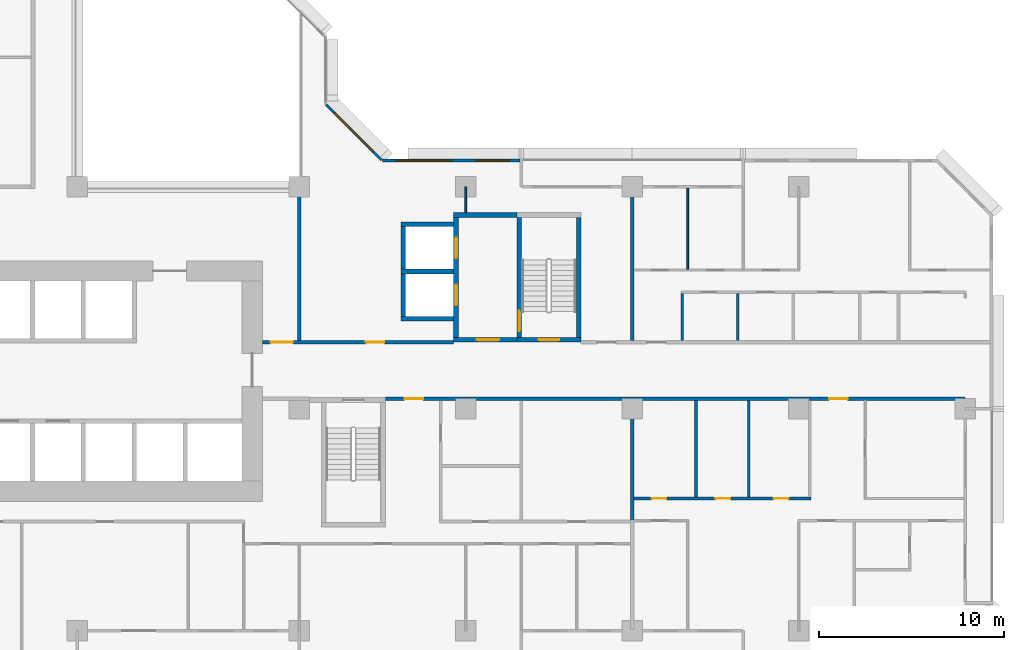
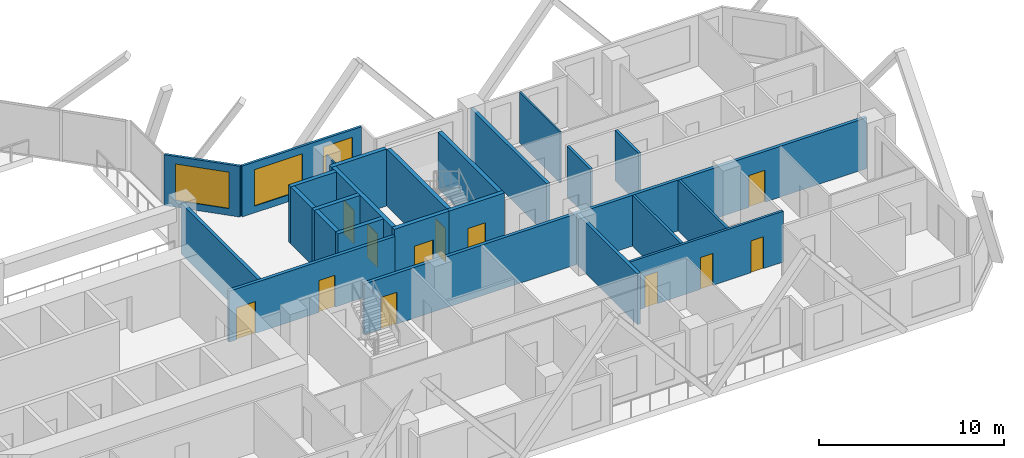
# One storey, part 7 of 15: 25 walls, 12 doors, 3 windows, 15 openings.
"""IFC4 building model written with IfcOpenShell, lengths in metres."""

from ifc_helpers import new_model, si_unit, direction, frame, frame_2d, origin, place, context, subcontext, project, spatial, rectangle, extrude, material, layer, layer_set, type_object, element, fill, save


model = new_model("IFC4")

# Units and contexts
model_context = context("Model", 3, precision=1e-05, world=origin(), true_north=direction((0.0, 1.0)))
body_context = subcontext(model_context, "Body", "Model", "MODEL_VIEW")
ifc_project = project(units=[si_unit("LENGTHUNIT", "METRE"), si_unit("AREAUNIT", "SQUARE_METRE"), si_unit("VOLUMEUNIT", "CUBIC_METRE"), si_unit("PLANEANGLEUNIT", "RADIAN"), si_unit("MASSUNIT", "GRAM", prefix="KILO")], contexts=[model_context])

# Site, building, storey
site_placement = place(None, origin())
site = spatial("IfcSite", under=ifc_project, at=site_placement, CompositionType="ELEMENT")
building_placement = place(site_placement, origin())
building = spatial("IfcBuilding", under=site, at=building_placement, Name="Chenar Terraces", CompositionType="ELEMENT")
storey_placement = place(building_placement, frame((0.0, 0.0, 48.89990234375)))
storey = spatial("IfcBuildingStorey", under=building, at=storey_placement, Name="L09", CompositionType="ELEMENT", Elevation=48.89990234375)

# Wall, opening, door
ifc_material_1 = material(Name="Concrete C70/85", Category="concrete")
ifc_layer_1 = layer(ifc_material_1, 0.25)
ifc_layer_set_1 = layer_set([ifc_layer_1], Name="Concrete C70/85")
wall_type_1 = type_object("IfcWallType", Name="Core wall 250 Concrete C70/85", PredefinedType="SHEAR", material=ifc_layer_set_1)
wall_1_placement = place(storey_placement, frame((47.77490234375, 15.72509765625, 0.0), z_axis=(0.0, 0.0, 1.0), x_axis=(1.0, 0.0, 0.0)))
wall_1 = element("IfcWall", 1, at=wall_1_placement, inside=storey, type_object=wall_type_1, Name="Core wall ST3_S L09", PredefinedType="SHEAR", context=body_context, shape_type="SweptSolid", body=[
    extrude(rectangle(XDim=3.4501953125, YDim=0.25, at=frame_2d((1.72509765625, 0.0))), origin(), (0.0, 0.0, 1.0), 3.75),
])
opening_1_placement = place(wall_1_placement, frame((1.175048828125, 0.0, 0.0)))
opening_1 = element("IfcOpeningElement", 2, at=opening_1_placement, cuts=wall_1, Name="Opening DL09-C8", PredefinedType="OPENING", context=body_context, shape_type="SweptSolid", body=[
    extrude(rectangle(XDim=1.10009765625, YDim=2.199951171875, at=frame_2d((0.550048828125, 1.10009765625))), frame((0.0, 0.135009765625, 0.0), z_axis=(0.0, -1.0, 0.0), x_axis=(1.0, 0.0, 0.0)), (0.0, 0.0, 1.0), 0.27001953125),
])
ifc_material_2 = material(Name="Steel-framed fire-resisting door leaf", Category="steel")
door_type_1 = type_object("IfcDoorType", Name="Stair fire door FD60 1100 x 2200", OperationType="SINGLE_SWING_LEFT", PredefinedType="DOOR", material=ifc_material_2)
door_1_placement = place(opening_1_placement, frame((1.10009765625, 0.0, 0.0), z_axis=(0.0, 0.0, 1.0), x_axis=(-1.0, 0.0, 0.0)))
door_1 = element("IfcDoor", 3, at=door_1_placement, inside=storey, type_object=door_type_1, Name="Stair door DL09-C8", OperationType="SINGLE_SWING_LEFT", OverallHeight=2.199951171875, OverallWidth=1.10009765625, PredefinedType="DOOR", context=body_context, shape_type="SweptSolid", body=[
    extrude(rectangle(XDim=1.10009765625, YDim=2.199951171875, at=frame_2d((0.550048828125, 1.10009765625))), frame((0.0, 0.02490234375, 0.0), z_axis=(0.0, -1.0, 0.0), x_axis=(1.0, 0.0, 0.0)), (0.0, 0.0, 1.0), 0.050048828125),
])
fill(opening_1, door_1)

wall_2_placement = place(storey_placement, frame((47.89990234375, 15.85009765625, 0.0), z_axis=(0.0, 0.0, 1.0), x_axis=(0.0, 1.0, 0.0)))
wall_2 = element("IfcWall", 4, at=wall_2_placement, inside=storey, type_object=wall_type_1, Name="Core wall ST3_W L09", PredefinedType="SHEAR", context=body_context, shape_type="SweptSolid", body=[
    extrude(rectangle(XDim=6.5, YDim=0.25, at=frame_2d((3.25, 0.0))), origin(), (0.0, 0.0, 1.0), 3.75),
])
opening_2_placement = place(wall_2_placement, frame((0.35009765625, 0.0, 0.0)))
opening_2 = element("IfcOpeningElement", 5, at=opening_2_placement, cuts=wall_2, Name="Opening DL09-C11", PredefinedType="OPENING", context=body_context, shape_type="SweptSolid", body=[
    extrude(rectangle(XDim=1.10009765625, YDim=2.199951171875, at=frame_2d((0.550048828125, 1.10009765625))), frame((0.0, 0.135009765625, 0.0), z_axis=(0.0, -1.0, 0.0), x_axis=(1.0, 0.0, 0.0)), (0.0, 0.0, 1.0), 0.27001953125),
])
door_2_placement = place(opening_2_placement, frame((1.10009765625, 0.0, 0.0), z_axis=(0.0, 0.0, 1.0), x_axis=(-1.0, 0.0, 0.0)))
door_2 = element("IfcDoor", 6, at=door_2_placement, inside=storey, type_object=door_type_1, Name="Stair door DL09-C11", OperationType="SINGLE_SWING_RIGHT", OverallHeight=2.199951171875, OverallWidth=1.10009765625, PredefinedType="DOOR", context=body_context, shape_type="SweptSolid", body=[
    extrude(rectangle(XDim=1.10009765625, YDim=2.199951171875, at=frame_2d((0.550048828125, 1.10009765625))), frame((0.0, 0.02490234375, 0.0), z_axis=(0.0, -1.0, 0.0), x_axis=(1.0, 0.0, 0.0)), (0.0, 0.0, 1.0), 0.050048828125),
])
fill(opening_2, door_2)

# Wall
wall_3_placement = place(storey_placement, frame((51.10009765625, 15.85009765625, 0.0), z_axis=(0.0, 0.0, 1.0), x_axis=(0.0, 1.0, 0.0)))
element("IfcWall", 7, at=wall_3_placement, inside=storey, type_object=wall_type_1, Name="Core wall ST3_E L09", PredefinedType="SHEAR", context=body_context, shape_type="SweptSolid", body=[
    extrude(rectangle(XDim=6.5, YDim=0.25, at=frame_2d((3.25, 0.0))), origin(), (0.0, 0.0, 1.0), 3.75),
])

# Wall, opening, door
wall_4_placement = place(storey_placement, frame((44.35009765625, 15.72509765625, 0.0), z_axis=(0.0, 0.0, 1.0), x_axis=(1.0, 0.0, 0.0)))
wall_4 = element("IfcWall", 8, at=wall_4_placement, inside=storey, type_object=wall_type_1, Name="Core wall F3_LS L09", PredefinedType="SHEAR", context=body_context, shape_type="SweptSolid", body=[
    extrude(rectangle(XDim=3.4248046875, YDim=0.25, at=frame_2d((1.71240234375, 0.0))), origin(), (0.0, 0.0, 1.0), 3.75),
])
opening_3_placement = place(wall_4_placement, frame((1.25, 0.0, 0.0)))
opening_3 = element("IfcOpeningElement", 9, at=opening_3_placement, cuts=wall_4, Name="Opening DL09-C10", PredefinedType="OPENING", context=body_context, shape_type="SweptSolid", body=[
    extrude(rectangle(XDim=1.199951171875, YDim=2.199951171875, at=frame_2d((0.60009765625, 1.10009765625))), frame((0.0, 0.135009765625, 0.0), z_axis=(0.0, -1.0, 0.0), x_axis=(1.0, 0.0, 0.0)), (0.0, 0.0, 1.0), 0.27001953125),
])
ifc_material_3 = material(Name="Steel-framed fire-resisting door leaf", Category="steel")
door_type_2 = type_object("IfcDoorType", Name="Lobby fire door FD60 1200 x 2200", OperationType="SINGLE_SWING_LEFT", PredefinedType="DOOR", material=ifc_material_3)
door_3_placement = place(opening_3_placement, origin())
door_3 = element("IfcDoor", 10, at=door_3_placement, inside=storey, type_object=door_type_2, Name="Core door DL09-C10", OperationType="SINGLE_SWING_RIGHT", OverallHeight=2.199951171875, OverallWidth=1.199951171875, PredefinedType="DOOR", context=body_context, shape_type="SweptSolid", body=[
    extrude(rectangle(XDim=1.199951171875, YDim=2.199951171875, at=frame_2d((0.60009765625, 1.10009765625))), frame((0.0, 0.02490234375, 0.0), z_axis=(0.0, -1.0, 0.0), x_axis=(1.0, 0.0, 0.0)), (0.0, 0.0, 1.0), 0.050048828125),
])
fill(opening_3, door_3)

# Wall
wall_5_placement = place(storey_placement, frame((44.35009765625, 22.47509765625, 0.0), z_axis=(0.0, 0.0, 1.0), x_axis=(1.0, 0.0, 0.0)))
element("IfcWall", 11, at=wall_5_placement, inside=storey, type_object=wall_type_1, Name="Core wall F3_LN L09", PredefinedType="SHEAR", context=body_context, shape_type="SweptSolid", body=[
    extrude(rectangle(XDim=3.4248046875, YDim=0.25, at=frame_2d((1.71240234375, 0.0))), origin(), (0.0, 0.0, 1.0), 3.75),
])

# Wall, openings, doors
wall_6_placement = place(storey_placement, frame((44.47509765625, 15.85009765625, 0.0), z_axis=(0.0, 0.0, 1.0), x_axis=(0.0, 1.0, 0.0)))
wall_6 = element("IfcWall", 12, at=wall_6_placement, inside=storey, type_object=wall_type_1, Name="Core wall F3_LW L09", PredefinedType="SHEAR", context=body_context, shape_type="SweptSolid", body=[
    extrude(rectangle(XDim=6.5, YDim=0.25, at=frame_2d((3.25, 0.0))), origin(), (0.0, 0.0, 1.0), 3.75),
])
opening_4_placement = place(wall_6_placement, frame((1.75, 0.0, 0.0)))
opening_4 = element("IfcOpeningElement", 13, at=opening_4_placement, cuts=wall_6, Name="Opening DL09-LD8", PredefinedType="OPENING", context=body_context, shape_type="SweptSolid", body=[
    extrude(rectangle(XDim=1.10009765625, YDim=2.199951171875, at=frame_2d((0.550048828125, 1.10009765625))), frame((0.0, 0.135009765625, 0.0), z_axis=(0.0, -1.0, 0.0), x_axis=(1.0, 0.0, 0.0)), (0.0, 0.0, 1.0), 0.27001953125),
])
opening_5_placement = place(wall_6_placement, frame((4.300048828125, 0.0, 0.0)))
opening_5 = element("IfcOpeningElement", 14, at=opening_5_placement, cuts=wall_6, Name="Opening DL09-LD9", PredefinedType="OPENING", context=body_context, shape_type="SweptSolid", body=[
    extrude(rectangle(XDim=1.10009765625, YDim=2.199951171875, at=frame_2d((0.550048828125, 1.10009765625))), frame((0.0, 0.135009765625, 0.0), z_axis=(0.0, -1.0, 0.0), x_axis=(1.0, 0.0, 0.0)), (0.0, 0.0, 1.0), 0.27001953125),
])
ifc_material_4 = material(Name="Stainless steel", Category="steel")
door_type_3 = type_object("IfcDoorType", Name="Lift landing door 1100 x 2200 sliding", OperationType="DOUBLE_DOOR_SLIDING", PredefinedType="DOOR", material=ifc_material_4)
door_4_placement = place(opening_4_placement, origin())
door_4 = element("IfcDoor", 15, at=door_4_placement, inside=storey, type_object=door_type_3, Name="Landing door F3", OperationType="DOUBLE_DOOR_SLIDING", OverallHeight=2.199951171875, OverallWidth=1.10009765625, PredefinedType="DOOR", context=body_context, shape_type="SweptSolid", body=[
    extrude(rectangle(XDim=1.10009765625, YDim=2.199951171875, at=frame_2d((0.550048828125, 1.10009765625))), frame((0.0, 0.02490234375, 0.0), z_axis=(0.0, -1.0, 0.0), x_axis=(1.0, 0.0, 0.0)), (0.0, 0.0, 1.0), 0.050048828125),
])
fill(opening_4, door_4)
door_5_placement = place(opening_5_placement, origin())
door_5 = element("IfcDoor", 16, at=door_5_placement, inside=storey, type_object=door_type_3, Name="Landing door F4", OperationType="DOUBLE_DOOR_SLIDING", OverallHeight=2.199951171875, OverallWidth=1.10009765625, PredefinedType="DOOR", context=body_context, shape_type="SweptSolid", body=[
    extrude(rectangle(XDim=1.10009765625, YDim=2.199951171875, at=frame_2d((0.550048828125, 1.10009765625))), frame((0.0, 0.02490234375, 0.0), z_axis=(0.0, -1.0, 0.0), x_axis=(1.0, 0.0, 0.0)), (0.0, 0.0, 1.0), 0.050048828125),
])
fill(opening_5, door_5)

# Walls
for number, where, z_axis, x_axis, name in (
    (17, (41.5, 16.875, 0.0), (0.0, 0.0, 1.0), (1.0, 0.0, 0.0), "Core wall F3_SS L09"),
    (18, (41.5, 19.425048828125, 0.0), (0.0, 0.0, 1.0), (1.0, 0.0, 0.0), "Core wall F3_SM L09"),
    (19, (41.5, 21.97509765625, 0.0), (0.0, 0.0, 1.0), (1.0, 0.0, 0.0), "Core wall F4_SN L09"),
):
    element("IfcWall", number, at=place(storey_placement, frame(where, z_axis=z_axis, x_axis=x_axis)), inside=storey, type_object=wall_type_1, Name=name, PredefinedType="SHEAR", context=body_context, shape_type="SweptSolid", body=[
        extrude(rectangle(XDim=2.85009765625, YDim=0.25, at=frame_2d((1.425048828125, 0.0))), origin(), (0.0, 0.0, 1.0), 3.75),
    ])
for number, where, z_axis, x_axis, name in (
    (20, (41.625, 17.0, 0.0), (0.0, 0.0, 1.0), (0.0, 1.0, 0.0), "Core wall F3_SW L09"),
    (21, (41.625, 19.550048828125, 0.0), (0.0, 0.0, 1.0), (0.0, 1.0, 0.0), "Core wall F4_SW L09"),
):
    element("IfcWall", number, at=place(storey_placement, frame(where, z_axis=z_axis, x_axis=x_axis)), inside=storey, type_object=wall_type_1, Name=name, PredefinedType="SHEAR", context=body_context, shape_type="SweptSolid", body=[
        extrude(rectangle(XDim=2.300048828125, YDim=0.25, at=frame_2d((1.14990234375, 0.0))), origin(), (0.0, 0.0, 1.0), 3.75),
    ])

# Wall, openings, doors
ifc_material_5 = material(Name="Gypsum board on steel studs with fire boards", Category="steel")
ifc_layer_2 = layer(ifc_material_5, 0.199951171875)
ifc_layer_set_2 = layer_set([ifc_layer_2], Name="Gypsum board on steel studs with fire boards")
wall_type_2 = type_object("IfcWallType", Name="Corridor wall 200", PredefinedType="PARTITIONING", material=ifc_layer_set_2)
wall_7_placement = place(storey_placement, frame((34.0, 15.60009765625, 0.0), z_axis=(0.0, 0.0, 1.0), x_axis=(1.0, 0.0, 0.0)))
wall_7 = element("IfcWall", 22, at=wall_7_placement, inside=storey, type_object=wall_type_2, Name="Partition L09-069", PredefinedType="PARTITIONING", context=body_context, shape_type="SweptSolid", body=[
    extrude(rectangle(XDim=10.35009765625, YDim=0.199951171875, at=frame_2d((5.175048828125, 0.0))), origin(), (0.0, 0.0, 1.0), 3.35009765625),
])
opening_6_placement = place(wall_7_placement, frame((5.60009765625, 0.0, 0.0)))
opening_6 = element("IfcOpeningElement", 23, at=opening_6_placement, cuts=wall_7, Name="Opening DL09-3", PredefinedType="OPENING", context=body_context, shape_type="SweptSolid", body=[
    extrude(rectangle(XDim=1.0, YDim=2.10009765625, at=frame_2d((0.5, 1.050048828125))), frame((0.0, 0.10986328125, 0.0), z_axis=(0.0, -1.0, 0.0), x_axis=(1.0, 0.0, 0.0)), (0.0, 0.0, 1.0), 0.219970703125),
])
opening_7_placement = place(wall_7_placement, frame((0.449951171875, 0.0, 0.0)))
opening_7 = element("IfcOpeningElement", 24, at=opening_7_placement, cuts=wall_7, Name="Opening DL09-46", PredefinedType="OPENING", context=body_context, shape_type="SweptSolid", body=[
    extrude(rectangle(XDim=1.199951171875, YDim=2.10009765625, at=frame_2d((0.60009765625, 1.050048828125))), frame((0.0, 0.10986328125, 0.0), z_axis=(0.0, -1.0, 0.0), x_axis=(1.0, 0.0, 0.0)), (0.0, 0.0, 1.0), 0.219970703125),
])
ifc_material_6 = material(Name="Steel-framed fire-resisting door leaf", Category="steel")
door_type_4 = type_object("IfcDoorType", Name="Fire door FD60 1000 x 2100", OperationType="SINGLE_SWING_LEFT", PredefinedType="DOOR", material=ifc_material_6)
door_6_placement = place(opening_6_placement, origin())
door_6 = element("IfcDoor", 25, at=door_6_placement, inside=storey, type_object=door_type_4, Name="Door DL09-3", OperationType="SINGLE_SWING_RIGHT", OverallHeight=2.10009765625, OverallWidth=1.0, PredefinedType="DOOR", context=body_context, shape_type="SweptSolid", body=[
    extrude(rectangle(XDim=1.0, YDim=2.10009765625, at=frame_2d((0.5, 1.050048828125))), frame((0.0, 0.02490234375, 0.0), z_axis=(0.0, -1.0, 0.0), x_axis=(1.0, 0.0, 0.0)), (0.0, 0.0, 1.0), 0.050048828125),
])
fill(opening_6, door_6)
ifc_material_7 = material(Name="Steel-framed fire-resisting door leaf", Category="steel")
door_type_5 = type_object("IfcDoorType", Name="Fire door FD60 1200 x 2100", OperationType="SINGLE_SWING_LEFT", PredefinedType="DOOR", material=ifc_material_7)
door_7_placement = place(opening_7_placement, origin())
door_7 = element("IfcDoor", 26, at=door_7_placement, inside=storey, type_object=door_type_5, Name="Door DL09-46", OperationType="SINGLE_SWING_RIGHT", OverallHeight=2.10009765625, OverallWidth=1.199951171875, PredefinedType="DOOR", context=body_context, shape_type="SweptSolid", body=[
    extrude(rectangle(XDim=1.199951171875, YDim=2.10009765625, at=frame_2d((0.60009765625, 1.050048828125))), frame((0.0, 0.02490234375, 0.0), z_axis=(0.0, -1.0, 0.0), x_axis=(1.0, 0.0, 0.0)), (0.0, 0.0, 1.0), 0.050048828125),
])
fill(opening_7, door_7)

# Wall
wall_8_placement = place(storey_placement, frame((36.0, 15.699951171875, 0.0), z_axis=(0.0, 0.0, 1.0), x_axis=(0.0, 1.0, 0.0)))
element("IfcWall", 27, at=wall_8_placement, inside=storey, type_object=wall_type_2, Name="Partition L09-071", PredefinedType="PARTITIONING", context=body_context, shape_type="SweptSolid", body=[
    extrude(rectangle(XDim=8.300048828125, YDim=0.199951171875, at=frame_2d((4.14990234375, 0.0))), origin(), (0.0, 0.0, 1.0), 3.35009765625),
])

# Wall, openings, doors
wall_9_placement = place(storey_placement, frame((40.64990234375, 12.550048828125, 0.0), z_axis=(0.0, 0.0, 1.0), x_axis=(1.0, 0.0, 0.0)))
wall_9 = element("IfcWall", 28, at=wall_9_placement, inside=storey, type_object=wall_type_2, Name="Partition L09-072", PredefinedType="PARTITIONING", context=body_context, shape_type="SweptSolid", body=[
    extrude(rectangle(XDim=31.35009765625, YDim=0.199951171875, at=frame_2d((15.675048828125, 0.0))), origin(), (0.0, 0.0, 1.0), 3.35009765625),
])
opening_8_placement = place(wall_9_placement, frame((24.0, 0.0, 0.0)))
opening_8 = element("IfcOpeningElement", 29, at=opening_8_placement, cuts=wall_9, Name="Opening DL09-21", PredefinedType="OPENING", context=body_context, shape_type="SweptSolid", body=[
    extrude(rectangle(XDim=1.0, YDim=2.10009765625, at=frame_2d((0.5, 1.050048828125))), frame((0.0, 0.10986328125, 0.0), z_axis=(0.0, -1.0, 0.0), x_axis=(1.0, 0.0, 0.0)), (0.0, 0.0, 1.0), 0.219970703125),
])
opening_9_placement = place(wall_9_placement, frame((1.050048828125, 0.0, 0.0)))
opening_9 = element("IfcOpeningElement", 30, at=opening_9_placement, cuts=wall_9, Name="Opening DL09-63", PredefinedType="OPENING", context=body_context, shape_type="SweptSolid", body=[
    extrude(rectangle(XDim=1.0, YDim=2.10009765625, at=frame_2d((0.5, 1.050048828125))), frame((0.0, 0.10986328125, 0.0), z_axis=(0.0, -1.0, 0.0), x_axis=(1.0, 0.0, 0.0)), (0.0, 0.0, 1.0), 0.219970703125),
])
ifc_material_8 = material(Name="Steel-framed fire-resisting door leaf", Category="steel")
door_type_6 = type_object("IfcDoorType", Name="Fire door FD30S 1000 x 2100", OperationType="SINGLE_SWING_LEFT", PredefinedType="DOOR", material=ifc_material_8)
door_8_placement = place(opening_8_placement, frame((1.0, 0.0, 0.0), z_axis=(0.0, 0.0, 1.0), x_axis=(-1.0, 0.0, 0.0)))
door_8 = element("IfcDoor", 31, at=door_8_placement, inside=storey, type_object=door_type_6, Name="Door DL09-21", OperationType="SINGLE_SWING_LEFT", OverallHeight=2.10009765625, OverallWidth=1.0, PredefinedType="DOOR", context=body_context, shape_type="SweptSolid", body=[
    extrude(rectangle(XDim=1.0, YDim=2.10009765625, at=frame_2d((0.5, 1.050048828125))), frame((0.0, 0.02490234375, 0.0), z_axis=(0.0, -1.0, 0.0), x_axis=(1.0, 0.0, 0.0)), (0.0, 0.0, 1.0), 0.050048828125),
])
fill(opening_8, door_8)
door_9_placement = place(opening_9_placement, origin())
door_9 = element("IfcDoor", 32, at=door_9_placement, inside=storey, type_object=door_type_6, Name="Door DL09-63", OperationType="SINGLE_SWING_RIGHT", OverallHeight=2.10009765625, OverallWidth=1.0, PredefinedType="DOOR", context=body_context, shape_type="SweptSolid", body=[
    extrude(rectangle(XDim=1.0, YDim=2.10009765625, at=frame_2d((0.5, 1.050048828125))), frame((0.0, 0.02490234375, 0.0), z_axis=(0.0, -1.0, 0.0), x_axis=(1.0, 0.0, 0.0)), (0.0, 0.0, 1.0), 0.050048828125),
])
fill(opening_9, door_9)

# Wall, openings, windows
ifc_material_9 = material(Name="Aluminium framed glazing", Category="aluminium")
ifc_layer_3 = layer(ifc_material_9, 0.14990234375)
ifc_layer_set_3 = layer_set([ifc_layer_3], Name="Aluminium framed glazing")
wall_type_3 = type_object("IfcWallType", Name="Glazed flush facade wall 150", PredefinedType="SOLIDWALL", material=ifc_layer_set_3)
wall_10_placement = place(storey_placement, frame((47.925048828125, 25.425048828125, 0.0), z_axis=(0.0, 0.0, 1.0), x_axis=(-1.0, 0.0, 0.0)))
wall_10 = element("IfcWall", 33, at=wall_10_placement, inside=storey, type_object=wall_type_3, Name="Glazed flush facade wall", PredefinedType="SOLIDWALL", context=body_context, shape_type="SweptSolid", body=[
    extrude(rectangle(XDim=7.425048828125, YDim=0.14990234375, at=frame_2d((3.71240234375, 0.0))), origin(), (0.0, 0.0, 1.0), 3.35009765625),
])
opening_10_placement = place(wall_10_placement, frame((0.5625, 0.0, 0.449951171875)))
opening_10 = element("IfcOpeningElement", 34, at=opening_10_placement, cuts=wall_10, Name="Opening W180x240", PredefinedType="OPENING", context=body_context, shape_type="SweptSolid", body=[
    extrude(rectangle(XDim=1.800048828125, YDim=2.39990234375, at=frame_2d((0.89990234375, 1.199951171875))), frame((0.0, 0.0849609375, 0.0), z_axis=(0.0, -1.0, 0.0), x_axis=(1.0, 0.0, 0.0)), (0.0, 0.0, 1.0), 0.169921875),
])
opening_11_placement = place(wall_10_placement, frame((3.675048828125, 0.0, 0.449951171875)))
opening_11 = element("IfcOpeningElement", 35, at=opening_11_placement, cuts=wall_10, Name="Opening W300x240", PredefinedType="OPENING", context=body_context, shape_type="SweptSolid", body=[
    extrude(rectangle(XDim=3.0, YDim=2.39990234375, at=frame_2d((1.5, 1.199951171875))), frame((0.0, 0.0849609375, 0.0), z_axis=(0.0, -1.0, 0.0), x_axis=(1.0, 0.0, 0.0)), (0.0, 0.0, 1.0), 0.169921875),
])
ifc_material_10 = material(Name="Low emissivity double glazing, aluminium frame", Category="aluminium")
window_type_1 = type_object("IfcWindowType", Name="Fixed light 1800 x 2400", PartitioningType="SINGLE_PANEL", PredefinedType="WINDOW", material=ifc_material_10)
window_1_placement = place(opening_10_placement, origin())
window_1 = element("IfcWindow", 36, at=window_1_placement, inside=storey, type_object=window_type_1, Name="Window", OverallHeight=2.39990234375, OverallWidth=1.800048828125, PartitioningType="SINGLE_PANEL", PredefinedType="WINDOW", context=body_context, shape_type="SweptSolid", body=[
    extrude(rectangle(XDim=1.800048828125, YDim=2.39990234375, at=frame_2d((0.89990234375, 1.199951171875))), frame((0.0, 0.030029296875, 0.0), z_axis=(0.0, -1.0, 0.0), x_axis=(1.0, 0.0, 0.0)), (0.0, 0.0, 1.0), 0.06005859375),
])
fill(opening_10, window_1)
ifc_material_11 = material(Name="Low emissivity double glazing, aluminium frame", Category="aluminium")
window_type_2 = type_object("IfcWindowType", Name="Fixed light 3000 x 2400", PartitioningType="SINGLE_PANEL", PredefinedType="WINDOW", material=ifc_material_11)
window_2_placement = place(opening_11_placement, origin())
window_2 = element("IfcWindow", 37, at=window_2_placement, inside=storey, type_object=window_type_2, Name="Window", OverallHeight=2.39990234375, OverallWidth=3.0, PartitioningType="SINGLE_PANEL", PredefinedType="WINDOW", context=body_context, shape_type="SweptSolid", body=[
    extrude(rectangle(XDim=3.0, YDim=2.39990234375, at=frame_2d((1.5, 1.199951171875))), frame((0.0, 0.030029296875, 0.0), z_axis=(0.0, -1.0, 0.0), x_axis=(1.0, 0.0, 0.0)), (0.0, 0.0, 1.0), 0.06005859375),
])
fill(opening_11, window_2)

# Walls
ifc_material_12 = material(Name="Gypsum board on steel studs", Category="steel")
ifc_layer_4 = layer(ifc_material_12, 0.10009765625)
ifc_layer_set_4 = layer_set([ifc_layer_4], Name="Gypsum board on steel studs")
wall_type_4 = type_object("IfcWallType", Name="Gypsum partition 100", PredefinedType="PARTITIONING", material=ifc_layer_set_4)
wall_11_placement = place(storey_placement, frame((45.0, 22.60009765625, 0.0), z_axis=(0.0, 0.0, 1.0), x_axis=(0.0, 1.0, 0.0)))
element("IfcWall", 38, at=wall_11_placement, inside=storey, type_object=wall_type_4, Name="Partition L09-077", PredefinedType="PARTITIONING", context=body_context, shape_type="SweptSolid", body=[
    extrude(rectangle(XDim=1.39990234375, YDim=0.10009765625, at=frame_2d((0.699951171875, 0.0))), origin(), (0.0, 0.0, 1.0), 3.35009765625),
])
wall_12_placement = place(storey_placement, frame((57.0, 19.550048828125, 0.0), z_axis=(0.0, 0.0, 1.0), x_axis=(0.0, 1.0, 0.0)))
element("IfcWall", 39, at=wall_12_placement, inside=storey, type_object=wall_type_4, Name="Partition L09-091", PredefinedType="PARTITIONING", context=body_context, shape_type="SweptSolid", body=[
    extrude(rectangle(XDim=4.3759765625, YDim=0.10009765625, at=frame_2d((2.18798828125, 0.0))), origin(), (0.0, 0.0, 1.0), 3.35009765625),
])

# Wall, opening, window
ifc_material_13 = material(Name="Terracotta cladding on insulated backing", Category="masonry")
ifc_layer_5 = layer(ifc_material_13, 0.14990234375)
ifc_layer_set_5 = layer_set([ifc_layer_5], Name="Terracotta cladding on insulated backing")
wall_type_5 = type_object("IfcWallType", Name="Terracotta rainscreen wall 150", PredefinedType="SOLIDWALL", material=ifc_layer_set_5)
wall_13_placement = place(storey_placement, frame((40.447021484375, 25.447021484375, 0.0), z_axis=(0.0, 0.0, 1.0), x_axis=(-0.707106781187, 0.707106781187, 0.0)))
wall_13 = element("IfcWall", 40, at=wall_13_placement, inside=storey, type_object=wall_type_5, Name="Terracotta rainscreen wall", PredefinedType="SOLIDWALL", context=body_context, shape_type="SweptSolid", body=[
    extrude(rectangle(XDim=4.24267578125, YDim=0.14990234375, at=frame_2d((2.121337890625, 0.0))), origin(), (0.0, 0.0, 1.0), 3.35009765625),
])
opening_12_placement = place(wall_13_placement, frame((0.621337890625, 0.0, 0.449951171875)))
opening_12 = element("IfcOpeningElement", 41, at=opening_12_placement, cuts=wall_13, Name="Opening W300x240", PredefinedType="OPENING", context=body_context, shape_type="SweptSolid", body=[
    extrude(rectangle(XDim=3.0, YDim=2.39990234375, at=frame_2d((1.5, 1.199951171875))), frame((0.0, 0.0849609375, 0.0), z_axis=(0.0, -1.0, 0.0), x_axis=(1.0, 0.0, 0.0)), (0.0, 0.0, 1.0), 0.169921875),
])
window_3_placement = place(opening_12_placement, origin())
window_3 = element("IfcWindow", 42, at=window_3_placement, inside=storey, type_object=window_type_2, Name="Window", OverallHeight=2.39990234375, OverallWidth=3.0, PartitioningType="SINGLE_PANEL", PredefinedType="WINDOW", context=body_context, shape_type="SweptSolid", body=[
    extrude(rectangle(XDim=3.0, YDim=2.39990234375, at=frame_2d((1.5, 1.199951171875))), frame((0.0, 0.030029296875, 0.0), z_axis=(0.0, -1.0, 0.0), x_axis=(1.0, 0.0, 0.0)), (0.0, 0.0, 1.0), 0.06005859375),
])
fill(opening_12, window_3)

# Walls
ifc_material_14 = material(Name="Twin gypsum board on steel studs with mineral wool", Category="steel")
ifc_layer_6 = layer(ifc_material_14, 0.199951171875)
ifc_layer_set_6 = layer_set([ifc_layer_6], Name="Twin gypsum board on steel studs with mineral wool")
wall_type_6 = type_object("IfcWallType", Name="Unit demising wall 200", PredefinedType="PARTITIONING", material=ifc_layer_set_6)
wall_14_placement = place(storey_placement, frame((54.0, 5.89990234375, 0.0), z_axis=(0.0, 0.0, 1.0), x_axis=(0.0, 1.0, 0.0)))
element("IfcWall", 43, at=wall_14_placement, inside=storey, type_object=wall_type_6, Name="Partition L09-083", PredefinedType="PARTITIONING", context=body_context, shape_type="SweptSolid", body=[
    extrude(rectangle(XDim=6.550048828125, YDim=0.199951171875, at=frame_2d((3.27490234375, 0.0))), origin(), (0.0, 0.0, 1.0), 3.35009765625),
])
wall_15_placement = place(storey_placement, frame((54.0, 15.699951171875, 0.0), z_axis=(0.0, 0.0, 1.0), x_axis=(0.0, 1.0, 0.0)))
element("IfcWall", 44, at=wall_15_placement, inside=storey, type_object=wall_type_6, Name="Partition L09-084", PredefinedType="PARTITIONING", context=body_context, shape_type="SweptSolid", body=[
    extrude(rectangle(XDim=8.22607421875, YDim=0.199951171875, at=frame_2d((4.113037109375, 0.0))), origin(), (0.0, 0.0, 1.0), 3.35009765625),
])

# Wall, openings, doors
ifc_material_15 = material(Name="Moisture-resistant gypsum board on steel studs", Category="steel")
ifc_layer_7 = layer(ifc_material_15, 0.14990234375)
ifc_layer_set_7 = layer_set([ifc_layer_7], Name="Moisture-resistant gypsum board on steel studs")
wall_type_7 = type_object("IfcWallType", Name="Wet-room partition 150", PredefinedType="PARTITIONING", material=ifc_layer_set_7)
wall_16_placement = place(storey_placement, frame((54.10009765625, 7.14990234375, 0.0), z_axis=(0.0, 0.0, 1.0), x_axis=(1.0, 0.0, 0.0)))
wall_16 = element("IfcWall", 45, at=wall_16_placement, inside=storey, type_object=wall_type_7, Name="Partition L09-086", PredefinedType="PARTITIONING", context=body_context, shape_type="SweptSolid", body=[
    extrude(rectangle(XDim=9.574951171875, YDim=0.14990234375, at=frame_2d((4.78759765625, 0.0))), origin(), (0.0, 0.0, 1.0), 3.35009765625),
])
opening_13_placement = place(wall_16_placement, frame((7.550048828125, 0.0, 0.0)))
opening_13 = element("IfcOpeningElement", 46, at=opening_13_placement, cuts=wall_16, Name="Opening DL09-14", PredefinedType="OPENING", context=body_context, shape_type="SweptSolid", body=[
    extrude(rectangle(XDim=0.800048828125, YDim=2.10009765625, at=frame_2d((0.39990234375, 1.050048828125))), frame((0.0, 0.0849609375, 0.0), z_axis=(0.0, -1.0, 0.0), x_axis=(1.0, 0.0, 0.0)), (0.0, 0.0, 1.0), 0.169921875),
])
opening_14_placement = place(wall_16_placement, frame((0.949951171875, 0.0, 0.0)))
opening_14 = element("IfcOpeningElement", 47, at=opening_14_placement, cuts=wall_16, Name="Opening DL09-20", PredefinedType="OPENING", context=body_context, shape_type="SweptSolid", body=[
    extrude(rectangle(XDim=0.800048828125, YDim=2.10009765625, at=frame_2d((0.39990234375, 1.050048828125))), frame((0.0, 0.0849609375, 0.0), z_axis=(0.0, -1.0, 0.0), x_axis=(1.0, 0.0, 0.0)), (0.0, 0.0, 1.0), 0.169921875),
])
opening_15_placement = place(wall_16_placement, frame((4.39990234375, 0.0, 0.0)))
opening_15 = element("IfcOpeningElement", 48, at=opening_15_placement, cuts=wall_16, Name="Opening DL09-22", PredefinedType="OPENING", context=body_context, shape_type="SweptSolid", body=[
    extrude(rectangle(XDim=0.800048828125, YDim=2.10009765625, at=frame_2d((0.39990234375, 1.050048828125))), frame((0.0, 0.0849609375, 0.0), z_axis=(0.0, -1.0, 0.0), x_axis=(1.0, 0.0, 0.0)), (0.0, 0.0, 1.0), 0.169921875),
])
ifc_material_16 = material(Name="Veneered timber door leaf", Category="wood")
door_type_7 = type_object("IfcDoorType", Name="Door 800 x 2100", OperationType="SINGLE_SWING_LEFT", PredefinedType="DOOR", material=ifc_material_16)
door_10_placement = place(opening_13_placement, origin())
door_10 = element("IfcDoor", 49, at=door_10_placement, inside=storey, type_object=door_type_7, Name="Door DL09-14", OperationType="SINGLE_SWING_RIGHT", OverallHeight=2.10009765625, OverallWidth=0.800048828125, PredefinedType="DOOR", context=body_context, shape_type="SweptSolid", body=[
    extrude(rectangle(XDim=0.800048828125, YDim=2.10009765625, at=frame_2d((0.39990234375, 1.050048828125))), frame((0.0, 0.02490234375, 0.0), z_axis=(0.0, -1.0, 0.0), x_axis=(1.0, 0.0, 0.0)), (0.0, 0.0, 1.0), 0.050048828125),
])
fill(opening_13, door_10)
door_11_placement = place(opening_14_placement, origin())
door_11 = element("IfcDoor", 50, at=door_11_placement, inside=storey, type_object=door_type_7, Name="Door DL09-20", OperationType="SINGLE_SWING_LEFT", OverallHeight=2.10009765625, OverallWidth=0.800048828125, PredefinedType="DOOR", context=body_context, shape_type="SweptSolid", body=[
    extrude(rectangle(XDim=0.800048828125, YDim=2.10009765625, at=frame_2d((0.39990234375, 1.050048828125))), frame((0.0, 0.02490234375, 0.0), z_axis=(0.0, -1.0, 0.0), x_axis=(1.0, 0.0, 0.0)), (0.0, 0.0, 1.0), 0.050048828125),
])
fill(opening_14, door_11)
door_12_placement = place(opening_15_placement, origin())
door_12 = element("IfcDoor", 51, at=door_12_placement, inside=storey, type_object=door_type_7, Name="Door DL09-22", OperationType="SINGLE_SWING_RIGHT", OverallHeight=2.10009765625, OverallWidth=0.800048828125, PredefinedType="DOOR", context=body_context, shape_type="SweptSolid", body=[
    extrude(rectangle(XDim=0.800048828125, YDim=2.10009765625, at=frame_2d((0.39990234375, 1.050048828125))), frame((0.0, 0.02490234375, 0.0), z_axis=(0.0, -1.0, 0.0), x_axis=(1.0, 0.0, 0.0)), (0.0, 0.0, 1.0), 0.050048828125),
])
fill(opening_15, door_12)

# Walls
wall_17_placement = place(storey_placement, frame((56.699951171875, 15.699951171875, 0.0), z_axis=(0.0, 0.0, 1.0), x_axis=(0.0, 1.0, 0.0)))
element("IfcWall", 52, at=wall_17_placement, inside=storey, type_object=wall_type_7, Name="Partition L09-089", PredefinedType="PARTITIONING", context=body_context, shape_type="SweptSolid", body=[
    extrude(rectangle(XDim=2.525146484375, YDim=0.14990234375, at=frame_2d((1.2626953125, 0.0))), origin(), (0.0, 0.0, 1.0), 3.35009765625),
])
wall_18_placement = place(storey_placement, frame((57.449951171875, 7.22509765625, 0.0), z_axis=(0.0, 0.0, 1.0), x_axis=(0.0, 1.0, 0.0)))
element("IfcWall", 53, at=wall_18_placement, inside=storey, type_object=wall_type_7, Name="Partition L09-092", PredefinedType="PARTITIONING", context=body_context, shape_type="SweptSolid", body=[
    extrude(rectangle(XDim=5.224853515625, YDim=0.14990234375, at=frame_2d((2.6123046875, 0.0))), origin(), (0.0, 0.0, 1.0), 3.35009765625),
])
wall_19_placement = place(storey_placement, frame((59.699951171875, 15.699951171875, 0.0), z_axis=(0.0, 0.0, 1.0), x_axis=(0.0, 1.0, 0.0)))
element("IfcWall", 54, at=wall_19_placement, inside=storey, type_object=wall_type_7, Name="Partition L09-093", PredefinedType="PARTITIONING", context=body_context, shape_type="SweptSolid", body=[
    extrude(rectangle(XDim=2.525146484375, YDim=0.14990234375, at=frame_2d((1.2626953125, 0.0))), origin(), (0.0, 0.0, 1.0), 3.35009765625),
])
wall_20_placement = place(storey_placement, frame((60.300048828125, 7.22509765625, 0.0), z_axis=(0.0, 0.0, 1.0), x_axis=(0.0, 1.0, 0.0)))
element("IfcWall", 55, at=wall_20_placement, inside=storey, type_object=wall_type_7, Name="Partition L09-095", PredefinedType="PARTITIONING", context=body_context, shape_type="SweptSolid", body=[
    extrude(rectangle(XDim=5.224853515625, YDim=0.14990234375, at=frame_2d((2.6123046875, 0.0))), origin(), (0.0, 0.0, 1.0), 3.35009765625),
])

save(model, "model.ifc")
